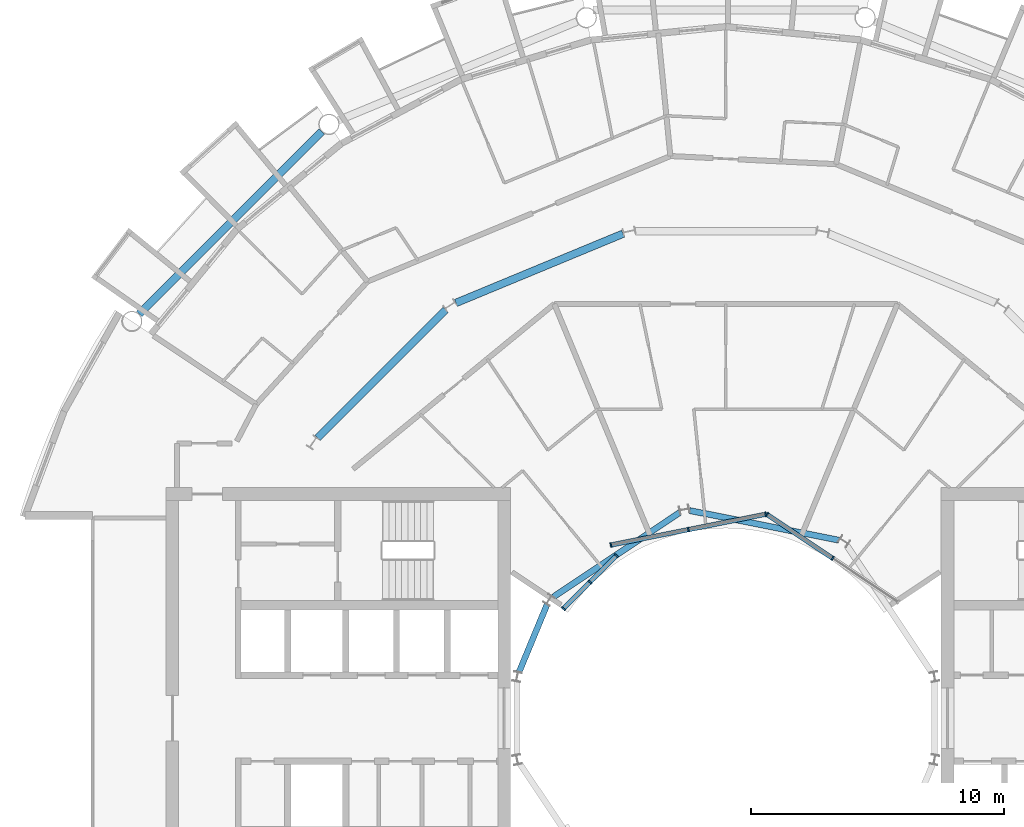
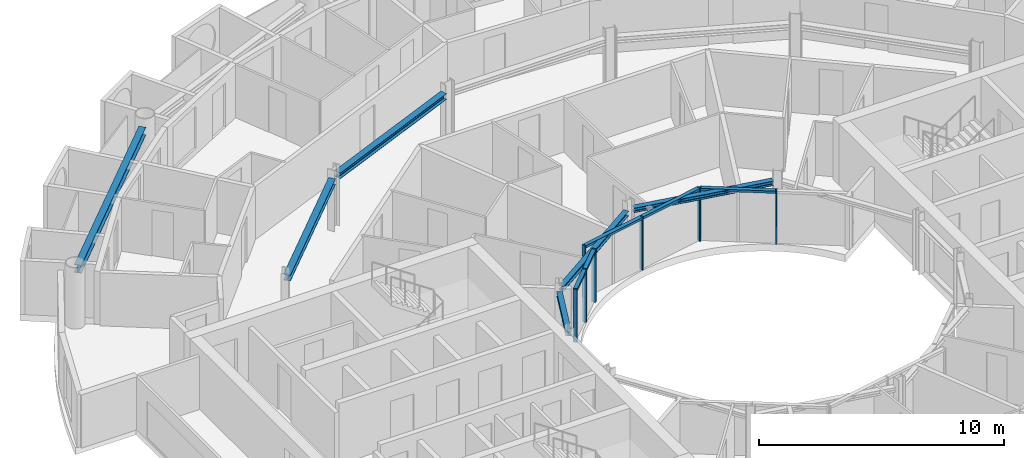
# One storey, part 8 of 26: 13 members, 6 beams, 3 elements without a shape of their own.
"""IFC4 building model written with IfcOpenShell, lengths in metres."""

from ifc_helpers import new_model, si_unit, direction, frame, origin, origin_2d, place, context, subcontext, project, spatial, rectangle, i_section, extrude, material, layer, layer_set, material_profile, profile_set, type_object, element, aggregate, save


model = new_model("IFC4")

# Units and contexts
model_context = context("Model", 3, precision=1e-05, world=origin(), true_north=direction((0.0, 1.0)))
body_context = subcontext(model_context, "Body", "Model", "MODEL_VIEW")
ifc_project = project(units=[si_unit("LENGTHUNIT", "METRE"), si_unit("AREAUNIT", "SQUARE_METRE"), si_unit("VOLUMEUNIT", "CUBIC_METRE"), si_unit("PLANEANGLEUNIT", "RADIAN"), si_unit("MASSUNIT", "GRAM", prefix="KILO")], contexts=[model_context])

# Site, building, storey
site_placement = place(None, origin())
site = spatial("IfcSite", under=ifc_project, at=site_placement, CompositionType="ELEMENT")
building_placement = place(site_placement, origin())
building = spatial("IfcBuilding", under=site, at=building_placement, Name="Maasbend Ring Residences", CompositionType="ELEMENT")
storey_placement = place(building_placement, frame((0.0, 0.0, 176.85009765625)))
storey = spatial("IfcBuildingStorey", under=building, at=storey_placement, Name="L51", CompositionType="ELEMENT", Elevation=176.85009765625)

# Curtain wall, members
ifc_material_1 = material(Name="Aluminium and clear glass", Category="aluminium")
ifc_layer = layer(ifc_material_1, 0.179931640625)
ifc_layer_set = layer_set([ifc_layer], Name="CW-W")
curtain_wall_type = type_object("IfcCurtainWallType", Name="CW-W", PredefinedType="NOTDEFINED", material=ifc_layer_set)
curtain_wall_1_placement = place(storey_placement, origin())
curtain_wall_1 = element("IfcCurtainWall", 1, at=curtain_wall_1_placement, inside=storey, type_object=curtain_wall_type, Name="Well curtain wall N1", PredefinedType="NOTDEFINED")
ifc_material_2 = material(Name="Aluminium 6063-T6", Category="aluminium")
ifc_material_profile_1 = material_profile(ifc_material_2, rectangle(XDim=0.179931640625, YDim=0.06005859375, at=origin_2d()), Name="AL 180x60")
ifc_profile_set_1 = profile_set([ifc_material_profile_1], Name="Aluminium 6063-T6")
member_type_1 = type_object("IfcMemberType", Name="CWM-W", PredefinedType="MULLION", material=ifc_profile_set_1)
member_1_placement = place(storey_placement, frame((4.216796875, 6.310791015625, 0.0), z_axis=(0.0, 0.0, 1.0), x_axis=(-0.55557023302, -0.831469612303, 0.0)))
member_1 = element("IfcMember", 2, at=member_1_placement, type_object=member_type_1, Name="Mullion well face", PredefinedType="MULLION", context=body_context, shape_type="SweptSolid", body=[
    extrude(rectangle(XDim=0.179931640625, YDim=0.06005859375, at=origin_2d()), origin(), (0.0, 0.0, 1.0), 2.64990234375),
])
member_2_placement = place(storey_placement, frame((1.627685546875, 8.040771484375, 0.0), z_axis=(0.0, 0.0, 1.0), x_axis=(-0.55557023302, -0.831469612303, 0.0)))
member_2 = element("IfcMember", 3, at=member_2_placement, type_object=member_type_1, Name="Mullion well face", PredefinedType="MULLION", context=body_context, shape_type="SweptSolid", body=[
    extrude(rectangle(XDim=0.179931640625, YDim=0.06005859375, at=origin_2d()), origin(), (0.0, 0.0, 1.0), 2.64990234375),
])

curtain_wall_2_placement = place(storey_placement, origin())
curtain_wall_2 = element("IfcCurtainWall", 4, at=curtain_wall_2_placement, inside=storey, type_object=curtain_wall_type, Name="Well curtain wall N2", PredefinedType="NOTDEFINED")
member_3_placement = place(storey_placement, frame((1.5732421875, 8.0517578125, 0.0), z_axis=(0.0, 0.0, 1.0), x_axis=(0.195090322016, -0.980785280403, 0.0)))
member_3 = element("IfcMember", 5, at=member_3_placement, type_object=member_type_1, Name="Mullion well face", PredefinedType="MULLION", context=body_context, shape_type="SweptSolid", body=[
    extrude(rectangle(XDim=0.179931640625, YDim=0.06005859375, at=origin_2d()), origin(), (0.0, 0.0, 1.0), 2.64990234375),
])
member_4_placement = place(storey_placement, frame((-1.480712890625, 7.444091796875, 0.0), z_axis=(0.0, 0.0, 1.0), x_axis=(0.195090322016, -0.980785280403, 0.0)))
member_4 = element("IfcMember", 6, at=member_4_placement, type_object=member_type_1, Name="Mullion well face", PredefinedType="MULLION", context=body_context, shape_type="SweptSolid", body=[
    extrude(rectangle(XDim=0.179931640625, YDim=0.06005859375, at=origin_2d()), origin(), (0.0, 0.0, 1.0), 2.64990234375),
])
member_5_placement = place(storey_placement, frame((-4.53466796875, 6.836669921875, 0.0), z_axis=(0.0, 0.0, 1.0), x_axis=(0.195090322016, -0.980785280403, 0.0)))
member_5 = element("IfcMember", 7, at=member_5_placement, type_object=member_type_1, Name="Mullion well face", PredefinedType="MULLION", context=body_context, shape_type="SweptSolid", body=[
    extrude(rectangle(XDim=0.179931640625, YDim=0.06005859375, at=origin_2d()), origin(), (0.0, 0.0, 1.0), 2.64990234375),
])

curtain_wall_3_placement = place(storey_placement, origin())
curtain_wall_3 = element("IfcCurtainWall", 8, at=curtain_wall_3_placement, inside=storey, type_object=curtain_wall_type, Name="Well curtain wall N3", PredefinedType="NOTDEFINED")
member_6_placement = place(storey_placement, frame((-4.320556640625, 6.413330078125, 0.0), z_axis=(0.0, 0.0, 1.0), x_axis=(0.707106781187, -0.707106781187, 0.0)))
member_6 = element("IfcMember", 9, at=member_6_placement, type_object=member_type_1, Name="Mullion well face", PredefinedType="MULLION", context=body_context, shape_type="SweptSolid", body=[
    extrude(rectangle(XDim=0.179931640625, YDim=0.06005859375, at=origin_2d()), origin(), (0.0, 0.0, 1.0), 2.64990234375),
])
member_7_placement = place(storey_placement, frame((-5.366943359375, 5.366943359375, 0.0), z_axis=(0.0, 0.0, 1.0), x_axis=(0.707106781187, -0.707106781187, 0.0)))
member_7 = element("IfcMember", 10, at=member_7_placement, type_object=member_type_1, Name="Mullion well face", PredefinedType="MULLION", context=body_context, shape_type="SweptSolid", body=[
    extrude(rectangle(XDim=0.179931640625, YDim=0.06005859375, at=origin_2d()), origin(), (0.0, 0.0, 1.0), 2.64990234375),
])
member_8_placement = place(storey_placement, frame((-6.413330078125, 4.320556640625, 0.0), z_axis=(0.0, 0.0, 1.0), x_axis=(0.707106781187, -0.707106781187, 0.0)))
member_8 = element("IfcMember", 11, at=member_8_placement, type_object=member_type_1, Name="Mullion well face", PredefinedType="MULLION", context=body_context, shape_type="SweptSolid", body=[
    extrude(rectangle(XDim=0.179931640625, YDim=0.06005859375, at=origin_2d()), origin(), (0.0, 0.0, 1.0), 2.64990234375),
])

# Member
ifc_material_3 = material(Name="Aluminium 6063-T6", Category="aluminium")
ifc_material_profile_2 = material_profile(ifc_material_3, rectangle(XDim=0.179931640625, YDim=0.1201171875, at=origin_2d()), Name="AL 180x120")
ifc_profile_set_2 = profile_set([ifc_material_profile_2], Name="Aluminium 6063-T6")
member_type_2 = type_object("IfcMemberType", Name="CWT-W", PredefinedType="USERDEFINED", material=ifc_profile_set_2)
member_9_placement = place(storey_placement, frame((4.19189453125, 6.32763671875, 2.58984375), z_axis=(-0.831496422459, 0.555530106689, 0.0), x_axis=(-0.555530106689, -0.831496422459, 0.0)))
member_9 = element("IfcMember", 12, at=member_9_placement, type_object=member_type_2, Name="Transom well face", ObjectType="TRANSOM", PredefinedType="USERDEFINED", context=body_context, shape_type="SweptSolid", body=[
    extrude(rectangle(XDim=0.179931640625, YDim=0.1201171875, at=origin_2d()), origin(), (0.0, 0.0, 1.0), 3.053955078125),
])

aggregate(curtain_wall_1, [member_1, member_2, member_9])

member_10_placement = place(storey_placement, frame((1.5439453125, 8.0458984375, 2.58984375), z_axis=(-0.980776956105, -0.195132166424, 0.0), x_axis=(0.195132166424, -0.980776956105, 0.0)))
member_10 = element("IfcMember", 13, at=member_10_placement, type_object=member_type_2, Name="Transom well face", ObjectType="TRANSOM", PredefinedType="USERDEFINED", context=body_context, shape_type="SweptSolid", body=[
    extrude(rectangle(XDim=0.179931640625, YDim=0.1201171875, at=origin_2d()), origin(), (0.0, 0.0, 1.0), 3.053955078125),
])

member_11_placement = place(storey_placement, frame((-1.51025390625, 7.438232421875, 2.58984375), z_axis=(-0.980789210404, -0.19507056353, 0.0), x_axis=(0.19507056353, -0.980789210404, 0.0)))
member_11 = element("IfcMember", 14, at=member_11_placement, type_object=member_type_2, Name="Transom well face", ObjectType="TRANSOM", PredefinedType="USERDEFINED", context=body_context, shape_type="SweptSolid", body=[
    extrude(rectangle(XDim=0.179931640625, YDim=0.1201171875, at=origin_2d()), origin(), (0.0, 0.0, 1.0), 3.0537109375),
])

aggregate(curtain_wall_2, [member_3, member_4, member_5, member_10, member_11])

member_12_placement = place(storey_placement, frame((-4.341796875, 6.39208984375, 2.58984375), z_axis=(-0.707106781187, -0.707106781187, 0.0), x_axis=(0.707106781187, -0.707106781187, 0.0)))
member_12 = element("IfcMember", 15, at=member_12_placement, type_object=member_type_2, Name="Transom well face", ObjectType="TRANSOM", PredefinedType="USERDEFINED", context=body_context, shape_type="SweptSolid", body=[
    extrude(rectangle(XDim=0.179931640625, YDim=0.1201171875, at=origin_2d()), origin(), (0.0, 0.0, 1.0), 1.419677734375),
])

member_13_placement = place(storey_placement, frame((-5.38818359375, 5.345703125, 2.58984375), z_axis=(-0.707106781187, -0.707106781187, 0.0), x_axis=(0.707106781187, -0.707106781187, 0.0)))
member_13 = element("IfcMember", 16, at=member_13_placement, type_object=member_type_2, Name="Transom well face", ObjectType="TRANSOM", PredefinedType="USERDEFINED", context=body_context, shape_type="SweptSolid", body=[
    extrude(rectangle(XDim=0.179931640625, YDim=0.1201171875, at=origin_2d()), origin(), (0.0, 0.0, 1.0), 1.419677734375),
])

aggregate(curtain_wall_3, [member_6, member_7, member_8, member_12, member_13])

# Beams
ifc_material_4 = material(Name="Steel S355J2", Category="steel")
ifc_material_profile_3 = material_profile(ifc_material_4, i_section(OverallWidth=0.300048828125, OverallDepth=0.2900390625, WebThickness=0.008544921875, FlangeThickness=0.013916015625, FilletRadius=0.027099609375, at=origin_2d()), Name="HEA 300")
ifc_profile_set_3 = profile_set([ifc_material_profile_3], Name="Steel S355J2")
beam_type_1 = type_object("IfcBeamType", Name="Corridor ring beam HEA 300", PredefinedType="BEAM", material=ifc_profile_set_3)
for number, where, z_axis, x_axis, name in (
    (17, (-4.059326171875, 19.1259765625, 2.5048828125), (-0.923871339849, -0.382703210602, 0.0), (0.382703210602, -0.923871339849, 0.0), "Corridor ring beam"),
    (18, (-11.0693359375, 16.11669921875, 2.5048828125), (-0.707106781187, -0.707106781187, 0.0), (0.707106781187, -0.707106781187, 0.0), "Corridor ring beam"),
):
    element("IfcBeam", number, at=place(storey_placement, frame(where, z_axis=z_axis, x_axis=x_axis)), inside=storey, type_object=beam_type_1, Name=name, PredefinedType="BEAM", context=body_context, shape_type="SweptSolid", body=[
        extrude(i_section(OverallWidth=0.300048828125, OverallDepth=0.2900390625, WebThickness=0.008544921875, FlangeThickness=0.013916015625, FilletRadius=0.027099609375, at=origin_2d()), origin(), (0.0, 0.0, 1.0), 7.137939453125),
    ])
ifc_material_5 = material(Name="Steel S355J2", Category="steel")
ifc_material_profile_4 = material_profile(ifc_material_5, i_section(OverallWidth=0.300048828125, OverallDepth=0.39990234375, WebThickness=0.013427734375, FlangeThickness=0.02392578125, FilletRadius=0.027099609375, at=origin_2d()), Name="HEB 400")
ifc_profile_set_4 = profile_set([ifc_material_profile_4], Name="Steel S355J2")
beam_type_2 = type_object("IfcBeamType", Name="Spandrel ring beam HEB 400", PredefinedType="SPANDREL", material=ifc_profile_set_4)
beam_1_placement = place(storey_placement, frame((-15.95458984375, 23.159912109375, 2.449951171875), z_axis=(-0.707106781187, -0.707106781187, 0.0), x_axis=(0.707106781187, -0.707106781187, 0.0)))
element("IfcBeam", 19, at=beam_1_placement, inside=storey, type_object=beam_type_2, Name="Spandrel ring beam", PredefinedType="SPANDREL", context=body_context, shape_type="SweptSolid", body=[
    extrude(i_section(OverallWidth=0.300048828125, OverallDepth=0.39990234375, WebThickness=0.013427734375, FlangeThickness=0.02392578125, FilletRadius=0.027099609375, at=origin_2d()), origin(), (0.0, 0.0, 1.0), 10.18994140625),
])
ifc_material_6 = material(Name="Steel S355J2", Category="steel")
ifc_material_profile_5 = material_profile(ifc_material_6, i_section(OverallWidth=0.239990234375, OverallDepth=0.22998046875, WebThickness=0.007568359375, FlangeThickness=0.011962890625, FilletRadius=0.02099609375, at=origin_2d()), Name="HEA 240")
ifc_profile_set_5 = profile_set([ifc_material_profile_5], Name="Steel S355J2")
beam_type_3 = type_object("IfcBeamType", Name="Well edge beam HEA 240", PredefinedType="BEAM", material=ifc_profile_set_5)
beam_2_placement = place(storey_placement, frame((4.459716796875, 7.025390625, 2.534912109375), z_axis=(-0.980778695042, 0.195123425945, 0.0), x_axis=(-0.195123425945, -0.980778695042, 0.0)))
element("IfcBeam", 20, at=beam_2_placement, inside=storey, type_object=beam_type_3, Name="Well edge beam", PredefinedType="BEAM", context=body_context, shape_type="SweptSolid", body=[
    extrude(i_section(OverallWidth=0.239990234375, OverallDepth=0.22998046875, WebThickness=0.007568359375, FlangeThickness=0.011962890625, FilletRadius=0.02099609375, at=origin_2d()), origin(), (0.0, 0.0, 1.0), 6.007080078125),
])
beam_3_placement = place(storey_placement, frame((-1.814208984375, 8.121337890625, 2.534912109375), z_axis=(-0.831480850227, -0.555553413909, 0.0), x_axis=(0.555553413909, -0.831480850227, 0.0)))
element("IfcBeam", 21, at=beam_3_placement, inside=storey, type_object=beam_type_3, Name="Well edge beam", PredefinedType="BEAM", context=body_context, shape_type="SweptSolid", body=[
    extrude(i_section(OverallWidth=0.239990234375, OverallDepth=0.22998046875, WebThickness=0.007568359375, FlangeThickness=0.011962890625, FilletRadius=0.02099609375, at=origin_2d()), origin(), (0.0, 0.0, 1.0), 6.0068359375),
])
beam_4_placement = place(storey_placement, frame((-7.060302734375, 4.483154296875, 2.534912109375), z_axis=(-0.382748596828, -0.923852537814, 0.0), x_axis=(0.923852537814, -0.382748596828, 0.0)))
element("IfcBeam", 22, at=beam_4_placement, inside=storey, type_object=beam_type_3, Name="Well edge beam", PredefinedType="BEAM", context=body_context, shape_type="SweptSolid", body=[
    extrude(i_section(OverallWidth=0.239990234375, OverallDepth=0.22998046875, WebThickness=0.007568359375, FlangeThickness=0.011962890625, FilletRadius=0.02099609375, at=origin_2d()), origin(), (0.0, 0.0, 1.0), 2.8798828125),
])

save(model, "model.ifc")
